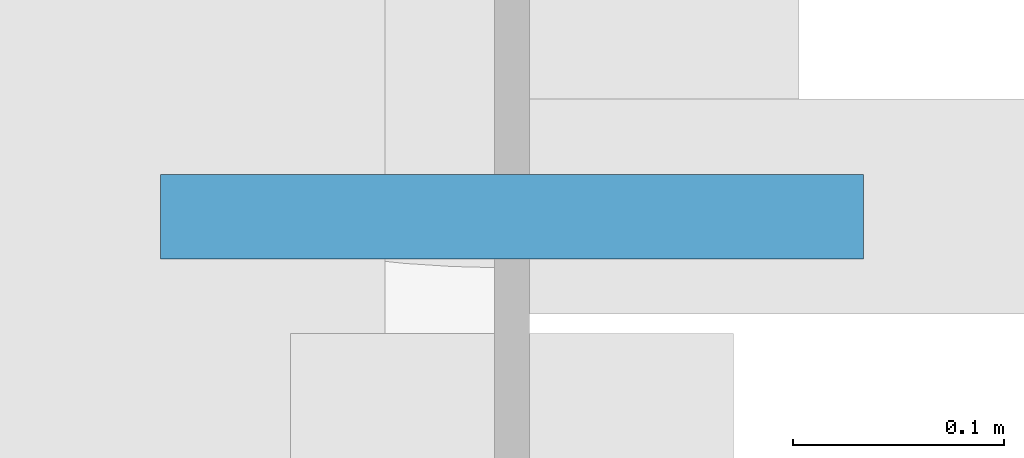
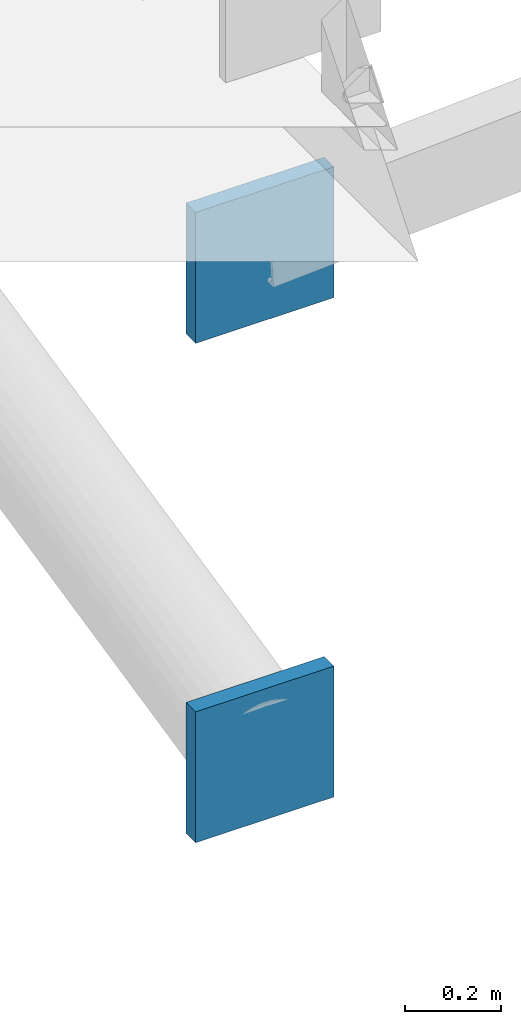
# One storey, part 47 of 67: 2 discrete accessories.
"""IFC4 building model written with IfcOpenShell, lengths in metres."""

from ifc_helpers import new_model, si_unit, direction, frame, origin, origin_2d, place, context, subcontext, project, spatial, rectangle, extrude, material, type_object, element, save


model = new_model("IFC4")

# Units and contexts
model_context = context("Model", 3, precision=1e-05, world=origin(), true_north=direction((0.0, 1.0)))
body_context = subcontext(model_context, "Body", "Model", "MODEL_VIEW")
ifc_project = project(units=[si_unit("LENGTHUNIT", "METRE"), si_unit("AREAUNIT", "SQUARE_METRE"), si_unit("VOLUMEUNIT", "CUBIC_METRE"), si_unit("PLANEANGLEUNIT", "RADIAN"), si_unit("MASSUNIT", "GRAM", prefix="KILO")], contexts=[model_context])

# Site, building, storey
site_placement = place(None, origin())
site = spatial("IfcSite", under=ifc_project, at=site_placement, CompositionType="ELEMENT")
building_placement = place(site_placement, origin())
building = spatial("IfcBuilding", under=site, at=building_placement, Name="Drelvath Fold Interchange", CompositionType="ELEMENT")
storey_placement = place(building_placement, frame((0.0, 0.0, 15.60009765625)))
storey = spatial("IfcBuildingStorey", under=building, at=storey_placement, Name="L03", CompositionType="ELEMENT", Elevation=15.60009765625)

# Discrete accessories
ifc_material = material(Name="Steel ASTM A572 Grade 50", Category="steel")
discrete_accessory_type = type_object("IfcDiscreteAccessoryType", Name="AC-CAP380", PredefinedType="BRACKET", material=ifc_material)
for number, where, z_axis, x_axis, name in (
    (1, (52.0, 26.9951171875, -2.03759765625), (0.0, 0.0, 1.0), (1.0, 0.0, 0.0), "Welded hollow member end cap 140"),
    (2, (52.0, 26.9951171875, -0.767578125), (0.0, 0.0, 1.0), (1.0, 0.0, 0.0), "Welded hollow member end cap 142"),
):
    element("IfcDiscreteAccessory", number, at=place(storey_placement, frame(where, z_axis=z_axis, x_axis=x_axis)), inside=storey, type_object=discrete_accessory_type, Name=name, PredefinedType="BRACKET", context=body_context, shape_type="SweptSolid", body=[
        extrude(rectangle(XDim=0.3330078125, YDim=0.0400390625, at=origin_2d()), origin(), (0.0, 0.0, 1.0), 0.3330078125),
    ])

save(model, "model.ifc")
